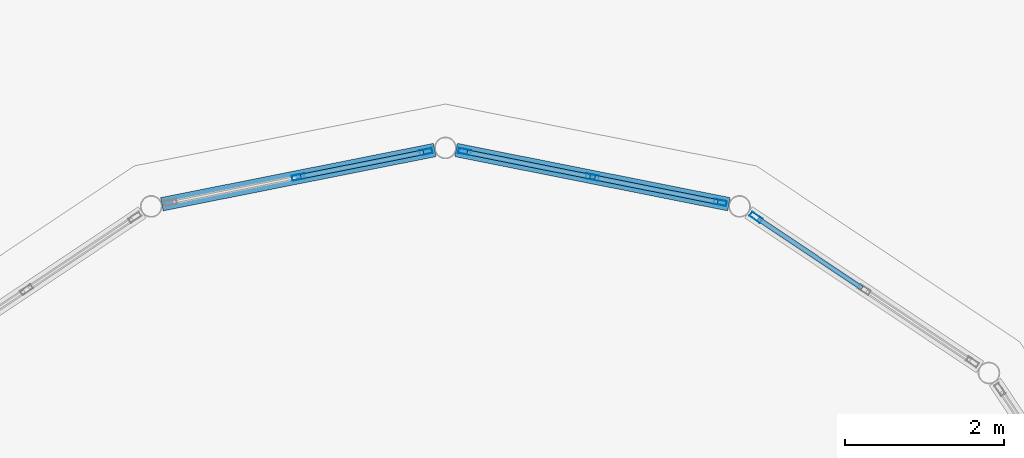
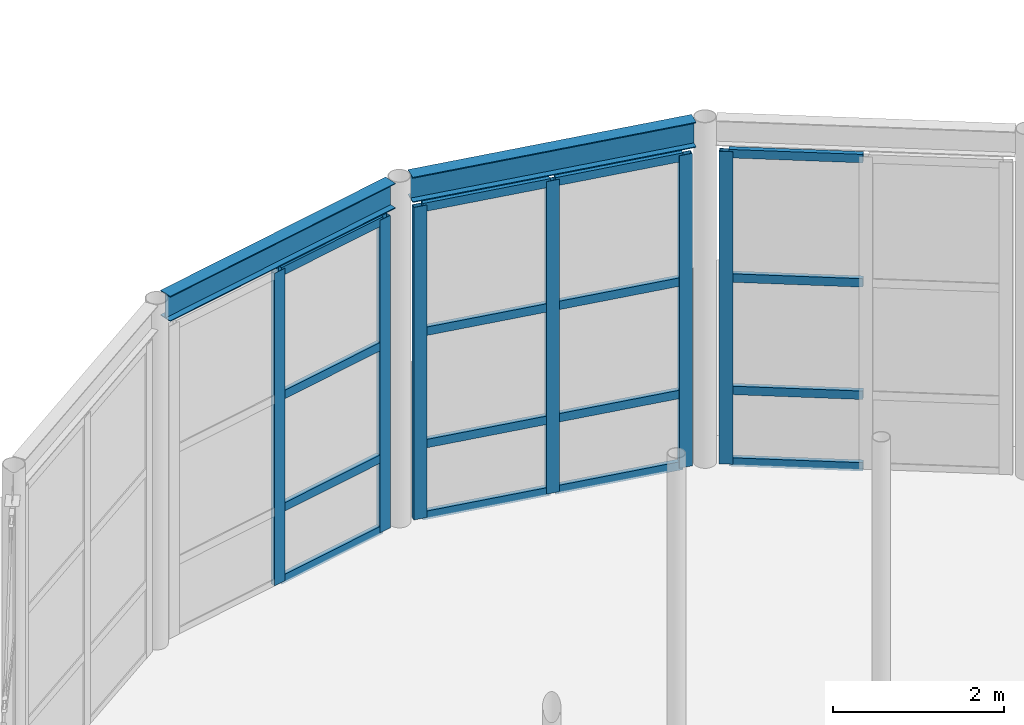
# One storey, part 17 of 57: 22 members, 2 beams, 3 elements without a shape of their own.
"""IFC4 building model written with IfcOpenShell, lengths in metres."""

from ifc_helpers import new_model, si_unit, direction, frame, origin, origin_2d, place, context, subcontext, project, spatial, hollow_rectangle, i_section, extrude, material, layer, layer_set, material_profile, profile_set, type_object, element, aggregate, save


model = new_model("IFC4")

# Units and contexts
model_context = context("Model", 3, precision=1e-05, world=origin(), true_north=direction((0.0, 1.0)))
body_context = subcontext(model_context, "Body", "Model", "MODEL_VIEW")
ifc_project = project(units=[si_unit("LENGTHUNIT", "METRE"), si_unit("AREAUNIT", "SQUARE_METRE"), si_unit("VOLUMEUNIT", "CUBIC_METRE"), si_unit("PLANEANGLEUNIT", "RADIAN"), si_unit("MASSUNIT", "GRAM", prefix="KILO")], contexts=[model_context])

# Site, building, storey
site_placement = place(None, origin())
site = spatial("IfcSite", under=ifc_project, at=site_placement, CompositionType="ELEMENT")
building_placement = place(site_placement, origin())
building = spatial("IfcBuilding", under=site, at=building_placement, Name="Kharisveld Research Institute", CompositionType="ELEMENT")
storey_placement = place(building_placement, origin())
storey = spatial("IfcBuildingStorey", under=building, at=storey_placement, Name="L00", CompositionType="ELEMENT", Elevation=0.0)

# Beams
ifc_material_1 = material(Name="Steel S355JR", Category="steel")
ifc_material_profile_1 = material_profile(ifc_material_1, i_section(OverallWidth=0.169921875, OverallDepth=0.360107421875, WebThickness=0.008056640625, FlangeThickness=0.0126953125, at=origin_2d()))
ifc_profile_set_1 = profile_set([ifc_material_profile_1], Name="Steel S355JR")
beam_type = type_object("IfcBeamType", Name="BM_ST_IPE360", PredefinedType="BEAM", material=ifc_profile_set_1)
for number, where, z_axis, x_axis, name in (
    (1, (63.05908203125, 59.7421875, 4.739990234375), (-0.980795184351, 0.1950405249, 0.0), (-0.1950405249, -0.980795184351, 0.0), "BM:V6:L00:RING03"),
    (2, (59.3662109375, 60.42333984375, 4.739990234375), (-0.980795184351, -0.1950405249, 0.0), (0.1950405249, -0.980795184351, 0.0), "BM:V6:L00:RING04"),
):
    element("IfcBeam", number, at=place(storey_placement, frame(where, z_axis=z_axis, x_axis=x_axis)), inside=storey, type_object=beam_type, Name=name, PredefinedType="BEAM", context=body_context, shape_type="SweptSolid", body=[
        extrude(i_section(OverallWidth=0.169921875, OverallDepth=0.360107421875, WebThickness=0.008056640625, FlangeThickness=0.0126953125, at=origin_2d()), origin(), (0.0, 0.0, 1.0), 3.492431640625),
    ])

# Curtain wall, member
ifc_material_2 = material(Name="Thermally Broken Aluminium Curtain Wall", Category="aluminium")
ifc_layer_1 = layer(ifc_material_2, 0.159912109375)
ifc_layer_set_1 = layer_set([ifc_layer_1], Name="CW_SYS_06")
curtain_wall_type_1 = type_object("IfcCurtainWallType", Name="CW_SYS_06", PredefinedType="NOTDEFINED", material=ifc_layer_set_1)
curtain_wall_1_placement = place(storey_placement, origin())
curtain_wall_1 = element("IfcCurtainWall", 3, at=curtain_wall_1_placement, inside=storey, type_object=curtain_wall_type_1, Name="CW:V6:L00:CHORD02", PredefinedType="NOTDEFINED")
ifc_material_3 = material(Name="Anodised Aluminium AW-6063-T6", Category="aluminium")
ifc_material_profile_2 = material_profile(ifc_material_3, hollow_rectangle(XDim=0.06494140625, YDim=0.159912109375, WallThickness=0.00390625, at=origin_2d()))
ifc_profile_set_2 = profile_set([ifc_material_profile_2], Name="Anodised Aluminium AW-6063-T6")
member_type_1 = type_object("IfcMemberType", Name="CW_MUL_160", PredefinedType="MULLION", material=ifc_profile_set_2)
member_1_placement = place(storey_placement, frame((63.398681640625, 59.577880859375, 0.0), z_axis=(0.0, 0.0, 1.0), x_axis=(0.555570109828, 0.831469694616, 0.0)))
member_1 = element("IfcMember", 4, at=member_1_placement, type_object=member_type_1, Name="CW-06 mullion 1", PredefinedType="MULLION", context=body_context, shape_type="SweptSolid", body=[
    extrude(hollow_rectangle(XDim=0.06494140625, YDim=0.159912109375, WallThickness=0.00390625, at=origin_2d()), origin(), (0.0, 0.0, 1.0), 4.449951171875),
])

# Curtain wall, members
ifc_material_4 = material(Name="Thermally Broken Aluminium Curtain Wall", Category="aluminium")
ifc_layer_2 = layer(ifc_material_4, 0.159912109375)
ifc_layer_set_2 = layer_set([ifc_layer_2], Name="CW_SYS_01")
curtain_wall_type_2 = type_object("IfcCurtainWallType", Name="CW_SYS_01", PredefinedType="NOTDEFINED", material=ifc_layer_set_2)
curtain_wall_2_placement = place(storey_placement, origin())
curtain_wall_2 = element("IfcCurtainWall", 5, at=curtain_wall_2_placement, inside=storey, type_object=curtain_wall_type_2, Name="CW:V6:L00:CHORD03", PredefinedType="NOTDEFINED")
member_2_placement = place(storey_placement, frame((59.74267578125, 60.401611328125, 0.0), z_axis=(0.0, 0.0, 1.0), x_axis=(0.195090730724, 0.980785199106, 0.0)))
member_2 = element("IfcMember", 6, at=member_2_placement, type_object=member_type_1, Name="CW-01 mullion 1", PredefinedType="MULLION", context=body_context, shape_type="SweptSolid", body=[
    extrude(hollow_rectangle(XDim=0.06494140625, YDim=0.159912109375, WallThickness=0.00390625, at=origin_2d()), origin(), (0.0, 0.0, 1.0), 4.449951171875),
])
member_3_placement = place(storey_placement, frame((61.346435546875, 60.082763671875, 0.0), z_axis=(0.0, 0.0, 1.0), x_axis=(0.195090730724, 0.980785199106, 0.0)))
member_3 = element("IfcMember", 7, at=member_3_placement, type_object=member_type_1, Name="CW-01 mullion 2", PredefinedType="MULLION", context=body_context, shape_type="SweptSolid", body=[
    extrude(hollow_rectangle(XDim=0.06494140625, YDim=0.159912109375, WallThickness=0.00390625, at=origin_2d()), origin(), (0.0, 0.0, 1.0), 4.449951171875),
])
member_4_placement = place(storey_placement, frame((62.9501953125, 59.763671875, 0.0), z_axis=(0.0, 0.0, 1.0), x_axis=(0.195090730724, 0.980785199106, 0.0)))
member_4 = element("IfcMember", 8, at=member_4_placement, type_object=member_type_1, Name="CW-01 mullion 3", PredefinedType="MULLION", context=body_context, shape_type="SweptSolid", body=[
    extrude(hollow_rectangle(XDim=0.06494140625, YDim=0.159912109375, WallThickness=0.00390625, at=origin_2d()), origin(), (0.0, 0.0, 1.0), 4.449951171875),
])

ifc_material_5 = material(Name="Thermally Broken Aluminium Curtain Wall", Category="aluminium")
ifc_layer_3 = layer(ifc_material_5, 0.159912109375)
ifc_layer_set_3 = layer_set([ifc_layer_3], Name="CW_SYS_02")
curtain_wall_type_3 = type_object("IfcCurtainWallType", Name="CW_SYS_02", PredefinedType="NOTDEFINED", material=ifc_layer_set_3)
curtain_wall_3_placement = place(storey_placement, origin())
curtain_wall_3 = element("IfcCurtainWall", 9, at=curtain_wall_3_placement, inside=storey, type_object=curtain_wall_type_3, Name="CW:V6:L00:CHORD04", PredefinedType="NOTDEFINED")
member_5_placement = place(storey_placement, frame((57.653564453125, 60.082763671875, 0.0), z_axis=(0.0, 0.0, 1.0), x_axis=(-0.195090730724, 0.980785199106, 0.0)))
member_5 = element("IfcMember", 10, at=member_5_placement, type_object=member_type_1, Name="CW-02 mullion 2", PredefinedType="MULLION", context=body_context, shape_type="SweptSolid", body=[
    extrude(hollow_rectangle(XDim=0.06494140625, YDim=0.159912109375, WallThickness=0.00390625, at=origin_2d()), origin(), (0.0, 0.0, 1.0), 4.449951171875),
])
member_6_placement = place(storey_placement, frame((59.25732421875, 60.401611328125, 0.0), z_axis=(0.0, 0.0, 1.0), x_axis=(-0.195090730724, 0.980785199106, 0.0)))
member_6 = element("IfcMember", 11, at=member_6_placement, type_object=member_type_1, Name="CW-02 mullion 3", PredefinedType="MULLION", context=body_context, shape_type="SweptSolid", body=[
    extrude(hollow_rectangle(XDim=0.06494140625, YDim=0.159912109375, WallThickness=0.00390625, at=origin_2d()), origin(), (0.0, 0.0, 1.0), 4.449951171875),
])

# Member
ifc_material_6 = material(Name="Anodised Aluminium AW-6063-T6", Category="aluminium")
ifc_material_profile_3 = material_profile(ifc_material_6, hollow_rectangle(XDim=0.06005859375, YDim=0.1201171875, WallThickness=0.00390625, at=origin_2d()))
ifc_profile_set_3 = profile_set([ifc_material_profile_3], Name="Anodised Aluminium AW-6063-T6")
member_type_2 = type_object("IfcMemberType", Name="CW_TRN_120", PredefinedType="USERDEFINED", material=ifc_profile_set_3)
member_7_placement = place(storey_placement, frame((63.42578125, 59.559814453125, 0.030029296875), z_axis=(0.831451738652, -0.555596981897, 0.0), x_axis=(0.555596981897, 0.831451738652, 0.0)))
member_7 = element("IfcMember", 12, at=member_7_placement, type_object=member_type_2, Name="CW-06 transom 1.1", ObjectType="TRANSOM", PredefinedType="USERDEFINED", context=body_context, shape_type="SweptSolid", body=[
    extrude(hollow_rectangle(XDim=0.06005859375, YDim=0.1201171875, WallThickness=0.00390625, at=origin_2d()), origin(), (0.0, 0.0, 1.0), 1.570068359375),
])

member_8_placement = place(storey_placement, frame((63.42578125, 59.559814453125, 1.050048828125), z_axis=(0.831451738652, -0.555596981897, 0.0), x_axis=(0.555596981897, 0.831451738652, 0.0)))
member_8 = element("IfcMember", 13, at=member_8_placement, type_object=member_type_2, Name="CW-06 transom 1.2", ObjectType="TRANSOM", PredefinedType="USERDEFINED", context=body_context, shape_type="SweptSolid", body=[
    extrude(hollow_rectangle(XDim=0.06005859375, YDim=0.1201171875, WallThickness=0.00390625, at=origin_2d()), origin(), (0.0, 0.0, 1.0), 1.570068359375),
])

member_9_placement = place(storey_placement, frame((63.42578125, 59.559814453125, 2.64990234375), z_axis=(0.831451738652, -0.555596981897, 0.0), x_axis=(0.555596981897, 0.831451738652, 0.0)))
member_9 = element("IfcMember", 14, at=member_9_placement, type_object=member_type_2, Name="CW-06 transom 1.3", ObjectType="TRANSOM", PredefinedType="USERDEFINED", context=body_context, shape_type="SweptSolid", body=[
    extrude(hollow_rectangle(XDim=0.06005859375, YDim=0.1201171875, WallThickness=0.00390625, at=origin_2d()), origin(), (0.0, 0.0, 1.0), 1.570068359375),
])

member_10_placement = place(storey_placement, frame((63.42578125, 59.559814453125, 4.419921875), z_axis=(0.831451738652, -0.555596981897, 0.0), x_axis=(0.555596981897, 0.831451738652, 0.0)))
member_10 = element("IfcMember", 15, at=member_10_placement, type_object=member_type_2, Name="CW-06 transom 1.4", ObjectType="TRANSOM", PredefinedType="USERDEFINED", context=body_context, shape_type="SweptSolid", body=[
    extrude(hollow_rectangle(XDim=0.06005859375, YDim=0.1201171875, WallThickness=0.00390625, at=origin_2d()), origin(), (0.0, 0.0, 1.0), 1.570068359375),
])

aggregate(curtain_wall_1, [member_1, member_7, member_8, member_9, member_10])

member_11_placement = place(storey_placement, frame((59.774658203125, 60.395263671875, 0.030029296875), z_axis=(0.980801354025, -0.195009497058, 0.0), x_axis=(0.195009497058, 0.980801354025, 0.0)))
member_11 = element("IfcMember", 16, at=member_11_placement, type_object=member_type_2, Name="CW-01 transom 1.1", ObjectType="TRANSOM", PredefinedType="USERDEFINED", context=body_context, shape_type="SweptSolid", body=[
    extrude(hollow_rectangle(XDim=0.06005859375, YDim=0.1201171875, WallThickness=0.00390625, at=origin_2d()), origin(), (0.0, 0.0, 1.0), 1.56982421875),
])

member_12_placement = place(storey_placement, frame((59.774658203125, 60.395263671875, 1.050048828125), z_axis=(0.980801354025, -0.195009497058, 0.0), x_axis=(0.195009497058, 0.980801354025, 0.0)))
member_12 = element("IfcMember", 17, at=member_12_placement, type_object=member_type_2, Name="CW-01 transom 1.2", ObjectType="TRANSOM", PredefinedType="USERDEFINED", context=body_context, shape_type="SweptSolid", body=[
    extrude(hollow_rectangle(XDim=0.06005859375, YDim=0.1201171875, WallThickness=0.00390625, at=origin_2d()), origin(), (0.0, 0.0, 1.0), 1.56982421875),
])

member_13_placement = place(storey_placement, frame((59.774658203125, 60.395263671875, 2.64990234375), z_axis=(0.980801354025, -0.195009497058, 0.0), x_axis=(0.195009497058, 0.980801354025, 0.0)))
member_13 = element("IfcMember", 18, at=member_13_placement, type_object=member_type_2, Name="CW-01 transom 1.3", ObjectType="TRANSOM", PredefinedType="USERDEFINED", context=body_context, shape_type="SweptSolid", body=[
    extrude(hollow_rectangle(XDim=0.06005859375, YDim=0.1201171875, WallThickness=0.00390625, at=origin_2d()), origin(), (0.0, 0.0, 1.0), 1.56982421875),
])

member_14_placement = place(storey_placement, frame((59.774658203125, 60.395263671875, 4.419921875), z_axis=(0.980801354025, -0.195009497058, 0.0), x_axis=(0.195009497058, 0.980801354025, 0.0)))
member_14 = element("IfcMember", 19, at=member_14_placement, type_object=member_type_2, Name="CW-01 transom 1.4", ObjectType="TRANSOM", PredefinedType="USERDEFINED", context=body_context, shape_type="SweptSolid", body=[
    extrude(hollow_rectangle(XDim=0.06005859375, YDim=0.1201171875, WallThickness=0.00390625, at=origin_2d()), origin(), (0.0, 0.0, 1.0), 1.56982421875),
])

member_15_placement = place(storey_placement, frame((61.37841796875, 60.076416015625, 0.030029296875), z_axis=(0.980771599816, -0.195159086375, 0.0), x_axis=(0.195159086375, 0.980771599816, 0.0)))
member_15 = element("IfcMember", 20, at=member_15_placement, type_object=member_type_2, Name="CW-01 transom 2.1", ObjectType="TRANSOM", PredefinedType="USERDEFINED", context=body_context, shape_type="SweptSolid", body=[
    extrude(hollow_rectangle(XDim=0.06005859375, YDim=0.1201171875, WallThickness=0.00390625, at=origin_2d()), origin(), (0.0, 0.0, 1.0), 1.570068359375),
])

member_16_placement = place(storey_placement, frame((61.37841796875, 60.076416015625, 1.050048828125), z_axis=(0.980771599816, -0.195159086375, 0.0), x_axis=(0.195159086375, 0.980771599816, 0.0)))
member_16 = element("IfcMember", 21, at=member_16_placement, type_object=member_type_2, Name="CW-01 transom 2.2", ObjectType="TRANSOM", PredefinedType="USERDEFINED", context=body_context, shape_type="SweptSolid", body=[
    extrude(hollow_rectangle(XDim=0.06005859375, YDim=0.1201171875, WallThickness=0.00390625, at=origin_2d()), origin(), (0.0, 0.0, 1.0), 1.570068359375),
])

member_17_placement = place(storey_placement, frame((61.37841796875, 60.076416015625, 2.64990234375), z_axis=(0.980771599816, -0.195159086375, 0.0), x_axis=(0.195159086375, 0.980771599816, 0.0)))
member_17 = element("IfcMember", 22, at=member_17_placement, type_object=member_type_2, Name="CW-01 transom 2.3", ObjectType="TRANSOM", PredefinedType="USERDEFINED", context=body_context, shape_type="SweptSolid", body=[
    extrude(hollow_rectangle(XDim=0.06005859375, YDim=0.1201171875, WallThickness=0.00390625, at=origin_2d()), origin(), (0.0, 0.0, 1.0), 1.570068359375),
])

member_18_placement = place(storey_placement, frame((61.37841796875, 60.076416015625, 4.419921875), z_axis=(0.980771599816, -0.195159086375, 0.0), x_axis=(0.195159086375, 0.980771599816, 0.0)))
member_18 = element("IfcMember", 23, at=member_18_placement, type_object=member_type_2, Name="CW-01 transom 2.4", ObjectType="TRANSOM", PredefinedType="USERDEFINED", context=body_context, shape_type="SweptSolid", body=[
    extrude(hollow_rectangle(XDim=0.06005859375, YDim=0.1201171875, WallThickness=0.00390625, at=origin_2d()), origin(), (0.0, 0.0, 1.0), 1.570068359375),
])

aggregate(curtain_wall_2, [member_2, member_3, member_4, member_11, member_12, member_13, member_14, member_15, member_16, member_17, member_18])

member_19_placement = place(storey_placement, frame((57.685546875, 60.089111328125, 0.030029296875), z_axis=(0.980801354025, 0.195009497058, 0.0), x_axis=(-0.195009497058, 0.980801354025, 0.0)))
member_19 = element("IfcMember", 24, at=member_19_placement, type_object=member_type_2, Name="CW-02 transom 2.1", ObjectType="TRANSOM", PredefinedType="USERDEFINED", context=body_context, shape_type="SweptSolid", body=[
    extrude(hollow_rectangle(XDim=0.06005859375, YDim=0.1201171875, WallThickness=0.00390625, at=origin_2d()), origin(), (0.0, 0.0, 1.0), 1.56982421875),
])

member_20_placement = place(storey_placement, frame((57.685546875, 60.089111328125, 1.050048828125), z_axis=(0.980801354025, 0.195009497058, 0.0), x_axis=(-0.195009497058, 0.980801354025, 0.0)))
member_20 = element("IfcMember", 25, at=member_20_placement, type_object=member_type_2, Name="CW-02 transom 2.2", ObjectType="TRANSOM", PredefinedType="USERDEFINED", context=body_context, shape_type="SweptSolid", body=[
    extrude(hollow_rectangle(XDim=0.06005859375, YDim=0.1201171875, WallThickness=0.00390625, at=origin_2d()), origin(), (0.0, 0.0, 1.0), 1.56982421875),
])

member_21_placement = place(storey_placement, frame((57.685546875, 60.089111328125, 2.64990234375), z_axis=(0.980801354025, 0.195009497058, 0.0), x_axis=(-0.195009497058, 0.980801354025, 0.0)))
member_21 = element("IfcMember", 26, at=member_21_placement, type_object=member_type_2, Name="CW-02 transom 2.3", ObjectType="TRANSOM", PredefinedType="USERDEFINED", context=body_context, shape_type="SweptSolid", body=[
    extrude(hollow_rectangle(XDim=0.06005859375, YDim=0.1201171875, WallThickness=0.00390625, at=origin_2d()), origin(), (0.0, 0.0, 1.0), 1.56982421875),
])

member_22_placement = place(storey_placement, frame((57.685546875, 60.089111328125, 4.419921875), z_axis=(0.980801354025, 0.195009497058, 0.0), x_axis=(-0.195009497058, 0.980801354025, 0.0)))
member_22 = element("IfcMember", 27, at=member_22_placement, type_object=member_type_2, Name="CW-02 transom 2.4", ObjectType="TRANSOM", PredefinedType="USERDEFINED", context=body_context, shape_type="SweptSolid", body=[
    extrude(hollow_rectangle(XDim=0.06005859375, YDim=0.1201171875, WallThickness=0.00390625, at=origin_2d()), origin(), (0.0, 0.0, 1.0), 1.56982421875),
])

aggregate(curtain_wall_3, [member_5, member_6, member_19, member_20, member_21, member_22])

save(model, "model.ifc")
